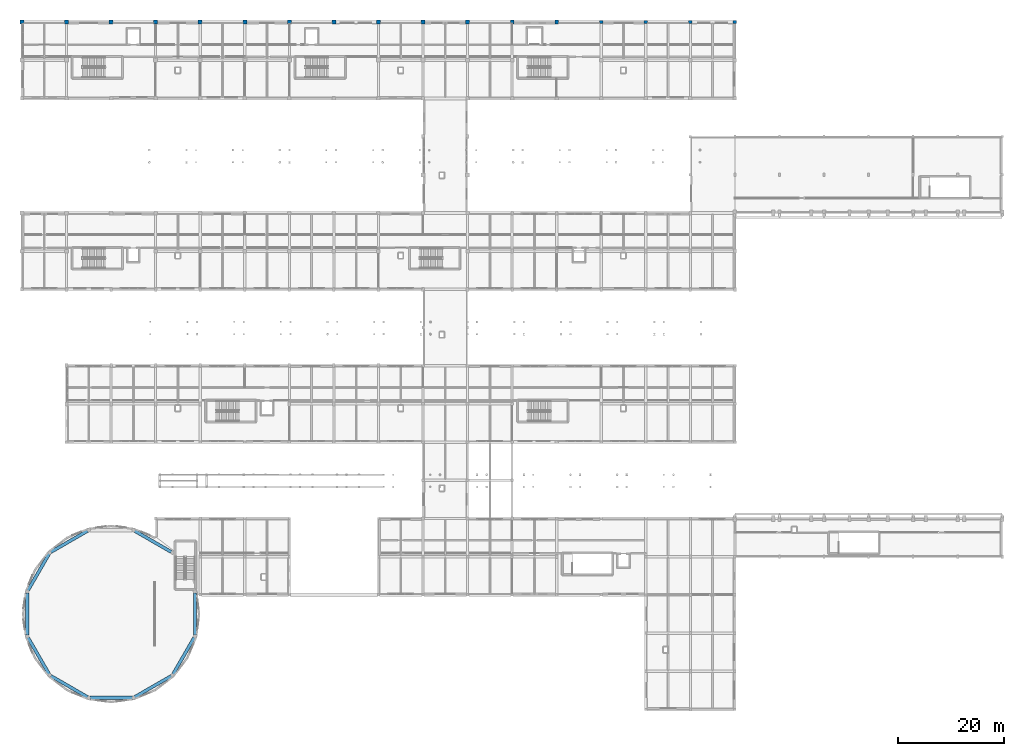
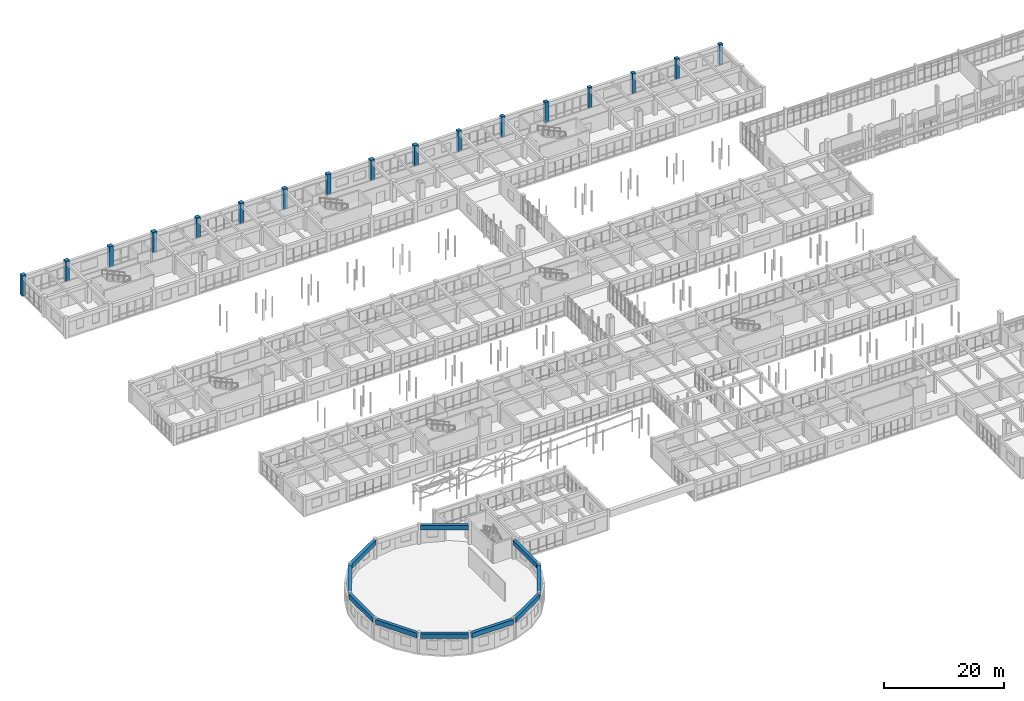
# One storey, part 33 of 147: 17 columns, 10 beams.
"""IFC4 building model written with IfcOpenShell, lengths in metres."""

from ifc_helpers import new_model, si_unit, direction, frame, origin, origin_2d, place, context, subcontext, project, spatial, rectangle, extrude, material, material_profile, profile_set, type_object, element, save


model = new_model("IFC4")

# Units and contexts
model_context = context("Model", 3, precision=1e-05, world=origin(), true_north=direction((0.0, 1.0)))
body_context = subcontext(model_context, "Body", "Model", "MODEL_VIEW")
ifc_project = project(units=[si_unit("LENGTHUNIT", "METRE"), si_unit("AREAUNIT", "SQUARE_METRE"), si_unit("VOLUMEUNIT", "CUBIC_METRE"), si_unit("PLANEANGLEUNIT", "RADIAN"), si_unit("MASSUNIT", "GRAM", prefix="KILO")], contexts=[model_context])

# Site, building, storey
site_placement = place(None, origin())
site = spatial("IfcSite", under=ifc_project, at=site_placement, CompositionType="ELEMENT")
building_placement = place(site_placement, origin())
building = spatial("IfcBuilding", under=site, at=building_placement, Name="Malvenik Polytechnic", CompositionType="ELEMENT")
storey_placement = place(building_placement, frame((0.0, 0.0, 5.10009765625)))
storey = spatial("IfcBuildingStorey", under=building, at=storey_placement, Name="L01", CompositionType="ELEMENT", Elevation=5.10009765625)

# Columns
ifc_material_1 = material(Name="Concrete C40/50", Category="concrete")
ifc_material_profile_1 = material_profile(ifc_material_1, rectangle(XDim=0.75, YDim=0.75, at=origin_2d()), Name="RC COL 750x750")
ifc_profile_set_1 = profile_set([ifc_material_profile_1], Name="Concrete C40/50")
column_type_1 = type_object("IfcColumnType", Name="STR-COL-C-03", PredefinedType="COLUMN", material=ifc_profile_set_1)
for number, where, z_axis, x_axis, name in (
    (1, (0.0, 129.60009765625, 0.0), (0.0, 0.0, 1.0), (1.0, 0.0, 0.0), "Column C-03 L01 (0.0,129.6)"),
    (2, (8.39990234375, 129.60009765625, 0.0), (0.0, 0.0, 1.0), (1.0, 0.0, 0.0), "Column C-03 L01 (8.4,129.6)"),
    (3, (16.800048828125, 129.60009765625, 0.0), (0.0, 0.0, 1.0), (1.0, 0.0, 0.0), "Column C-03 L01 (16.8,129.6)"),
    (4, (25.199951171875, 129.60009765625, 0.0), (0.0, 0.0, 1.0), (1.0, 0.0, 0.0), "Column C-03 L01 (25.2,129.6)"),
    (5, (33.60009765625, 129.60009765625, 0.0), (0.0, 0.0, 1.0), (1.0, 0.0, 0.0), "Column C-03 L01 (33.6,129.6)"),
    (6, (42.0, 129.60009765625, 0.0), (0.0, 0.0, 1.0), (1.0, 0.0, 0.0), "Column C-03 L01 (42.0,129.6)"),
    (7, (50.39990234375, 129.60009765625, 0.0), (0.0, 0.0, 1.0), (1.0, 0.0, 0.0), "Column C-03 L01 (50.4,129.6)"),
    (8, (58.800048828125, 129.60009765625, 0.0), (0.0, 0.0, 1.0), (1.0, 0.0, 0.0), "Column C-03 L01 (58.8,129.6)"),
    (9, (67.199951171875, 129.60009765625, 0.0), (0.0, 0.0, 1.0), (1.0, 0.0, 0.0), "Column C-03 L01 (67.2,129.6)"),
    (10, (75.60009765625, 129.60009765625, 0.0), (0.0, 0.0, 1.0), (1.0, 0.0, 0.0), "Column C-03 L01 (75.6,129.6)"),
):
    element("IfcColumn", number, at=place(storey_placement, frame(where, z_axis=z_axis, x_axis=x_axis)), inside=storey, type_object=column_type_1, Name=name, PredefinedType="COLUMN", context=body_context, shape_type="SweptSolid", body=[
        extrude(rectangle(XDim=0.75, YDim=0.75, at=origin_2d()), origin(), (0.0, 0.0, 1.0), 4.199951171875),
    ])
ifc_material_profile_2 = material_profile(ifc_material_1, rectangle(XDim=0.699951171875, YDim=0.699951171875, at=origin_2d()), Name="RC COL 700x700")
ifc_profile_set_2 = profile_set([ifc_material_profile_2], Name="Concrete C40/50")
column_type_2 = type_object("IfcColumnType", Name="STR-COL-C-04", PredefinedType="COLUMN", material=ifc_profile_set_2)
for number, where, z_axis, x_axis, name in (
    (11, (84.0, 129.60009765625, 0.0), (0.0, 0.0, 1.0), (1.0, 0.0, 0.0), "Column C-04 L01 (84.0,129.6)"),
    (12, (92.39990234375, 129.60009765625, 0.0), (0.0, 0.0, 1.0), (1.0, 0.0, 0.0), "Column C-04 L01 (92.4,129.6)"),
    (13, (100.800048828125, 129.60009765625, 0.0), (0.0, 0.0, 1.0), (1.0, 0.0, 0.0), "Column C-04 L01 (100.8,129.6)"),
):
    element("IfcColumn", number, at=place(storey_placement, frame(where, z_axis=z_axis, x_axis=x_axis)), inside=storey, type_object=column_type_2, Name=name, PredefinedType="COLUMN", context=body_context, shape_type="SweptSolid", body=[
        extrude(rectangle(XDim=0.699951171875, YDim=0.699951171875, at=origin_2d()), origin(), (0.0, 0.0, 1.0), 4.199951171875),
    ])
ifc_material_2 = material(Name="Concrete C35/45", Category="concrete")
ifc_material_profile_3 = material_profile(ifc_material_2, rectangle(XDim=0.64990234375, YDim=0.64990234375, at=origin_2d()), Name="RC COL 650x650")
ifc_profile_set_3 = profile_set([ifc_material_profile_3], Name="Concrete C35/45")
column_type_3 = type_object("IfcColumnType", Name="STR-COL-C-05", PredefinedType="COLUMN", material=ifc_profile_set_3)
for number, where, z_axis, x_axis, name in (
    (14, (109.199951171875, 129.60009765625, 0.0), (0.0, 0.0, 1.0), (1.0, 0.0, 0.0), "Column C-05 L01 (109.2,129.6)"),
    (15, (117.60009765625, 129.60009765625, 0.0), (0.0, 0.0, 1.0), (1.0, 0.0, 0.0), "Column C-05 L01 (117.6,129.6)"),
    (16, (126.0, 129.60009765625, 0.0), (0.0, 0.0, 1.0), (1.0, 0.0, 0.0), "Column C-05 L01 (126.0,129.6)"),
    (17, (134.39990234375, 129.60009765625, 0.0), (0.0, 0.0, 1.0), (1.0, 0.0, 0.0), "Column C-05 L01 (134.4,129.6)"),
):
    element("IfcColumn", number, at=place(storey_placement, frame(where, z_axis=z_axis, x_axis=x_axis)), inside=storey, type_object=column_type_3, Name=name, PredefinedType="COLUMN", context=body_context, shape_type="SweptSolid", body=[
        extrude(rectangle(XDim=0.64990234375, YDim=0.64990234375, at=origin_2d()), origin(), (0.0, 0.0, 1.0), 4.199951171875),
    ])

# Beams
ifc_material_profile_4 = material_profile(ifc_material_1, rectangle(XDim=0.60009765625, YDim=0.949951171875, at=origin_2d()), Name="RC RG 600x950")
ifc_profile_set_4 = profile_set([ifc_material_profile_4], Name="Concrete C40/50")
beam_type = type_object("IfcBeamType", Name="STR-BM-RG-02", PredefinedType="BEAM", material=ifc_profile_set_4)
beam_1_placement = place(storey_placement, frame((28.1533203125, 29.680908203125, 3.44482421875), z_axis=(-0.865991037897, 0.50005951874, 0.0), x_axis=(-0.50005951874, -0.865991037897, 0.0)))
element("IfcBeam", 18, at=beam_1_placement, inside=storey, type_object=beam_type, Name="Rotunda Ring Girder RG-02 L01-2", PredefinedType="BEAM", context=body_context, shape_type="SweptSolid", body=[
    extrude(rectangle(XDim=0.60009765625, YDim=0.949951171875, at=origin_2d()), origin(), (0.0, 0.0, 1.0), 7.9833984375),
])
beam_2_placement = place(storey_placement, frame((12.360107421875, 33.673095703125, 3.44482421875), z_axis=(-0.865983390538, -0.500072762018, 0.0), x_axis=(0.500072762018, -0.865983390538, 0.0)))
element("IfcBeam", 19, at=beam_2_placement, inside=storey, type_object=beam_type, Name="Rotunda Ring Girder RG-02 L01-4", PredefinedType="BEAM", context=body_context, shape_type="SweptSolid", body=[
    extrude(rectangle(XDim=0.60009765625, YDim=0.949951171875, at=origin_2d()), origin(), (0.0, 0.0, 1.0), 7.983154296875),
])
beam_3_placement = place(storey_placement, frame((5.118896484375, 29.353271484375, 3.44482421875), z_axis=(-0.50003658433, -0.866004280781, 0.0), x_axis=(0.866004280781, -0.50003658433, 0.0)))
element("IfcBeam", 20, at=beam_3_placement, inside=storey, type_object=beam_type, Name="Rotunda Ring Girder RG-02 L01-5", PredefinedType="BEAM", context=body_context, shape_type="SweptSolid", body=[
    extrude(rectangle(XDim=0.60009765625, YDim=0.949951171875, at=origin_2d()), origin(), (0.0, 0.0, 1.0), 7.9833984375),
])
beam_4_placement = place(storey_placement, frame((1.007080078125, 21.991943359375, 3.44482421875), z_axis=(0.0, -1.0, 0.0), x_axis=(1.0, 0.0, 0.0)))
element("IfcBeam", 21, at=beam_4_placement, inside=storey, type_object=beam_type, Name="Rotunda Ring Girder RG-02 L01-6", PredefinedType="BEAM", context=body_context, shape_type="SweptSolid", body=[
    extrude(rectangle(XDim=0.60009765625, YDim=0.949951171875, at=origin_2d()), origin(), (0.0, 0.0, 1.0), 7.98388671875),
])
beam_5_placement = place(storey_placement, frame((1.126953125, 13.560302734375, 3.44482421875), z_axis=(0.50003658433, -0.866004280781, 0.0), x_axis=(0.866004280781, 0.50003658433, 0.0)))
element("IfcBeam", 22, at=beam_5_placement, inside=storey, type_object=beam_type, Name="Rotunda Ring Girder RG-02 L01-7", PredefinedType="BEAM", context=body_context, shape_type="SweptSolid", body=[
    extrude(rectangle(XDim=0.60009765625, YDim=0.949951171875, at=origin_2d()), origin(), (0.0, 0.0, 1.0), 7.9833984375),
])
beam_6_placement = place(storey_placement, frame((5.44677734375, 6.319091796875, 3.44482421875), z_axis=(0.865983390538, -0.500072762018, 0.0), x_axis=(0.500072762018, 0.865983390538, 0.0)))
element("IfcBeam", 23, at=beam_6_placement, inside=storey, type_object=beam_type, Name="Rotunda Ring Girder RG-02 L01-8", PredefinedType="BEAM", context=body_context, shape_type="SweptSolid", body=[
    extrude(rectangle(XDim=0.60009765625, YDim=0.949951171875, at=origin_2d()), origin(), (0.0, 0.0, 1.0), 7.983154296875),
])
beam_7_placement = place(storey_placement, frame((12.80810546875, 2.20703125, 3.44482421875), z_axis=(1.0, 0.0, 0.0), x_axis=(0.0, 1.0, 0.0)))
element("IfcBeam", 24, at=beam_7_placement, inside=storey, type_object=beam_type, Name="Rotunda Ring Girder RG-02 L01-9", PredefinedType="BEAM", context=body_context, shape_type="SweptSolid", body=[
    extrude(rectangle(XDim=0.60009765625, YDim=0.949951171875, at=origin_2d()), origin(), (0.0, 0.0, 1.0), 7.98388671875),
])
for number, where, z_axis, x_axis, name in (
    (25, (21.23974609375, 2.326904296875, 3.44482421875), (0.865991037897, 0.50005951874, 0.0), (-0.50005951874, 0.865991037897, 0.0), "Rotunda Ring Girder RG-02 L01-10"),
    (26, (28.48095703125, 6.646728515625, 3.44482421875), (0.50003658433, 0.866004280781, 0.0), (-0.866004280781, 0.50003658433, 0.0), "Rotunda Ring Girder RG-02 L01-11"),
):
    element("IfcBeam", number, at=place(storey_placement, frame(where, z_axis=z_axis, x_axis=x_axis)), inside=storey, type_object=beam_type, Name=name, PredefinedType="BEAM", context=body_context, shape_type="SweptSolid", body=[
        extrude(rectangle(XDim=0.60009765625, YDim=0.949951171875, at=origin_2d()), origin(), (0.0, 0.0, 1.0), 7.9833984375),
    ])
beam_8_placement = place(storey_placement, frame((32.593017578125, 14.008056640625, 3.44482421875), z_axis=(0.0, 1.0, 0.0), x_axis=(-1.0, 0.0, 0.0)))
element("IfcBeam", 27, at=beam_8_placement, inside=storey, type_object=beam_type, Name="Rotunda Ring Girder RG-02 L01-12", PredefinedType="BEAM", context=body_context, shape_type="SweptSolid", body=[
    extrude(rectangle(XDim=0.60009765625, YDim=0.949951171875, at=origin_2d()), origin(), (0.0, 0.0, 1.0), 7.98388671875),
])

save(model, "model.ifc")
